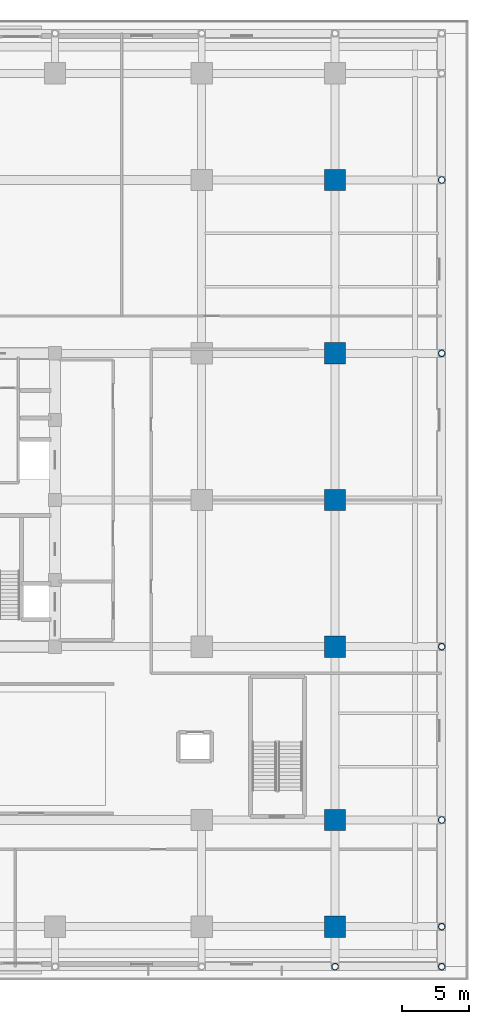
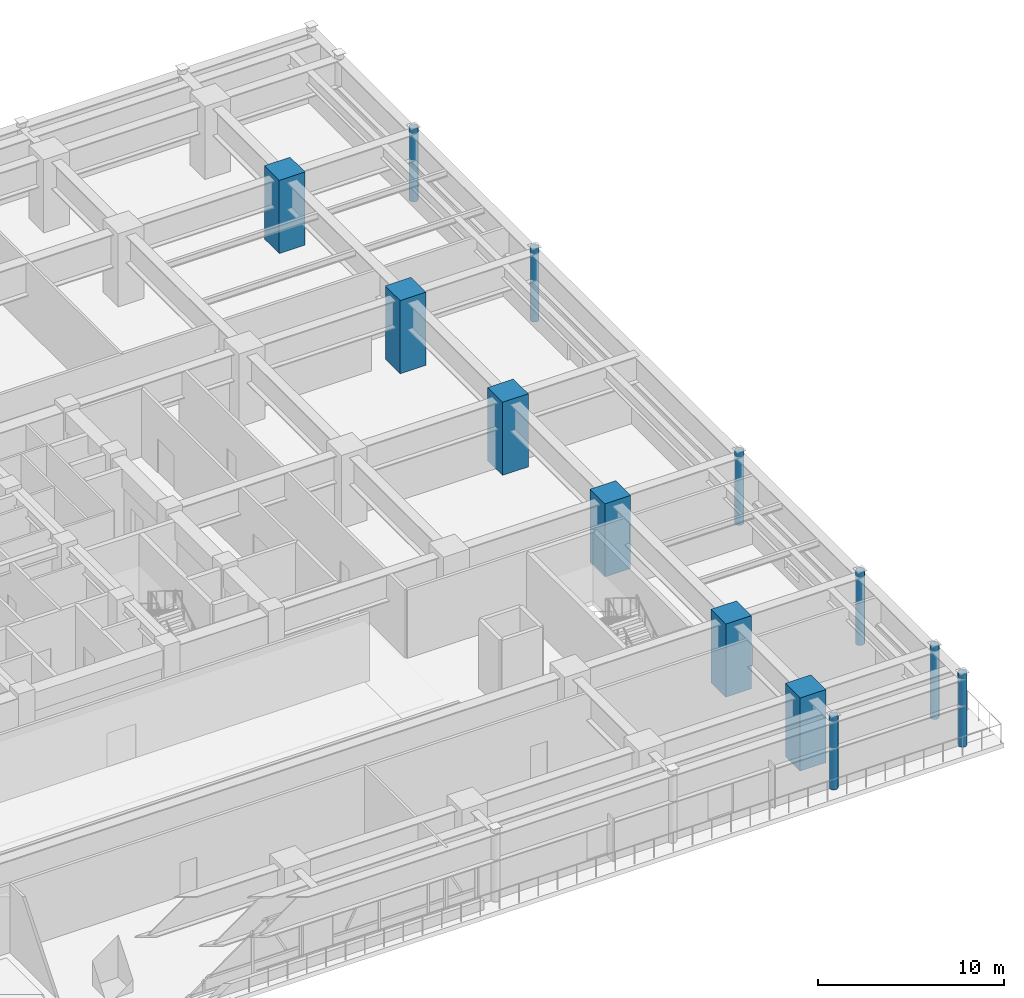
# One storey, part 4 of 38: 13 columns.
"""IFC4 building model written with IfcOpenShell, lengths in metres."""

from ifc_helpers import new_model, si_unit, direction, frame, origin, origin_2d, place, context, subcontext, project, spatial, rectangle, hollow_circle, extrude, source, transform, mapped, material, material_profile, profile_set, type_object, element, save


model = new_model("IFC4")

# Units and contexts
model_context = context("Model", 3, precision=1e-05, world=origin(), true_north=direction((0.0, 1.0)))
body_context = subcontext(model_context, "Body", "Model", "MODEL_VIEW")
ifc_project = project(units=[si_unit("LENGTHUNIT", "METRE"), si_unit("AREAUNIT", "SQUARE_METRE"), si_unit("VOLUMEUNIT", "CUBIC_METRE"), si_unit("PLANEANGLEUNIT", "RADIAN"), si_unit("MASSUNIT", "GRAM", prefix="KILO")], contexts=[model_context])

# Site, building, storey
site_placement = place(None, origin())
site = spatial("IfcSite", under=ifc_project, at=site_placement, CompositionType="ELEMENT")
building_placement = place(site_placement, origin())
building = spatial("IfcBuilding", under=site, at=building_placement, Name="Khorayat Bourse Tower", CompositionType="ELEMENT")
storey_placement = place(building_placement, frame((0.0, 0.0, 17.39990234375)))
storey = spatial("IfcBuildingStorey", under=building, at=storey_placement, Name="L03", CompositionType="ELEMENT", Elevation=17.39990234375)

# Columns
ifc_material_1 = material(Name="Concrete C72/90", Category="concrete")
ifc_material_profile_1 = material_profile(ifc_material_1, rectangle(XDim=1.60009765625, YDim=1.60009765625, at=origin_2d()), Name="RC 1600x1600")
ifc_profile_set_1 = profile_set([ifc_material_profile_1], Name="Concrete C72/90")
column_type_1 = type_object("IfcColumnType", Name="COL-MEGA-1600", PredefinedType="COLUMN", material=ifc_profile_set_1)
shared_shape_1 = source(origin(), body_context, "Body", "SweptSolid", [
    extrude(rectangle(XDim=1.60009765625, YDim=1.60009765625, at=origin_2d()), origin(), (0.0, 0.0, 1.0), 4.800048828125),
])
for number, where, z_axis, x_axis, name in (
    (1, (32.0, -32.0, 0.0), (0.0, 0.0, 1.0), (1.0, 0.0, 0.0), "L03 Column 065"),
    (2, (32.0, -24.0, 0.0), (0.0, 0.0, 1.0), (1.0, 0.0, 0.0), "L03 Column 066"),
    (3, (32.0, -11.0, 0.0), (0.0, 0.0, 1.0), (1.0, 0.0, 0.0), "L03 Column 067"),
    (4, (32.0, 0.0, 0.0), (0.0, 0.0, 1.0), (1.0, 0.0, 0.0), "L03 Column 068"),
    (5, (32.0, 11.0, 0.0), (0.0, 0.0, 1.0), (1.0, 0.0, 0.0), "L03 Column 069"),
    (6, (32.0, 24.0, 0.0), (0.0, 0.0, 1.0), (1.0, 0.0, 0.0), "L03 Column 070"),
):
    element("IfcColumn", number, at=place(storey_placement, frame(where, z_axis=z_axis, x_axis=x_axis)), inside=storey, type_object=column_type_1, Name=name, PredefinedType="COLUMN", context=body_context, shape_type="MappedRepresentation", body=[
        mapped(shared_shape_1, transform((0.0, 0.0, 0.0), scale=1.0)),
    ])
ifc_material_2 = material(Name="Steel EN 10025-2 S355J2", Category="steel")
ifc_material_profile_2 = material_profile(ifc_material_2, hollow_circle(Radius=0.25390625, WallThickness=0.02490234375, at=origin_2d()), Name="CHS 508x25")
ifc_profile_set_2 = profile_set([ifc_material_profile_2], Name="Steel EN 10025-2 S355J2")
column_type_2 = type_object("IfcColumnType", Name="COL-POD-CHS508", PredefinedType="COLUMN", material=ifc_profile_set_2)
shared_shape_2 = source(origin(), body_context, "Body", "SweptSolid", [
    extrude(hollow_circle(Radius=0.25390625, WallThickness=0.02490234375, at=origin_2d()), origin(), (0.0, 0.0, 1.0), 4.800048828125),
])
for number, where, z_axis, x_axis, name in (
    (7, (32.0, -35.0, 0.0), (0.0, 0.0, 1.0), (1.0, 0.0, 0.0), "L03 Column 064"),
    (8, (40.0, -35.0, 0.0), (0.0, 0.0, 1.0), (1.0, 0.0, 0.0), "L03 Column 073"),
    (9, (40.0, -24.0, 0.0), (0.0, 0.0, 1.0), (1.0, 0.0, 0.0), "L03 Column 074"),
    (10, (40.0, -11.0, 0.0), (0.0, 0.0, 1.0), (1.0, 0.0, 0.0), "L03 Column 075"),
    (11, (40.0, 11.0, 0.0), (0.0, 0.0, 1.0), (1.0, 0.0, 0.0), "L03 Column 076"),
    (12, (40.0, 24.0, 0.0), (0.0, 0.0, 1.0), (1.0, 0.0, 0.0), "L03 Column 077"),
    (13, (40.0, -32.0, 0.0), (0.0, 0.0, 1.0), (1.0, 0.0, 0.0), "L03 Perimeter Step Column 3"),
):
    element("IfcColumn", number, at=place(storey_placement, frame(where, z_axis=z_axis, x_axis=x_axis)), inside=storey, type_object=column_type_2, Name=name, PredefinedType="COLUMN", context=body_context, shape_type="MappedRepresentation", body=[
        mapped(shared_shape_2, transform((0.0, 0.0, 0.0), scale=1.0)),
    ])

save(model, "model.ifc")
